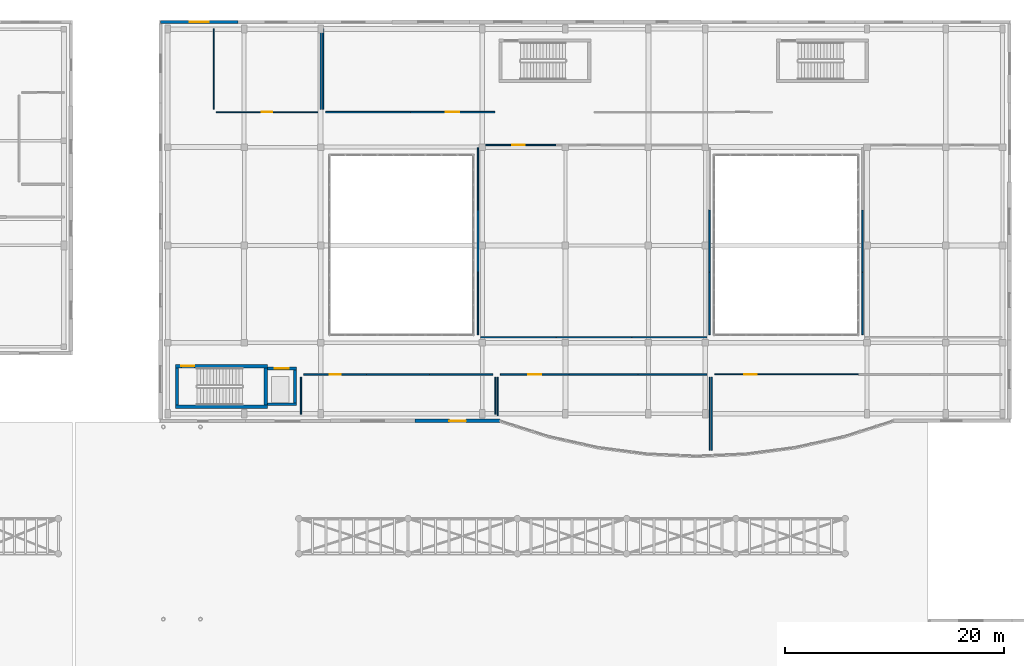
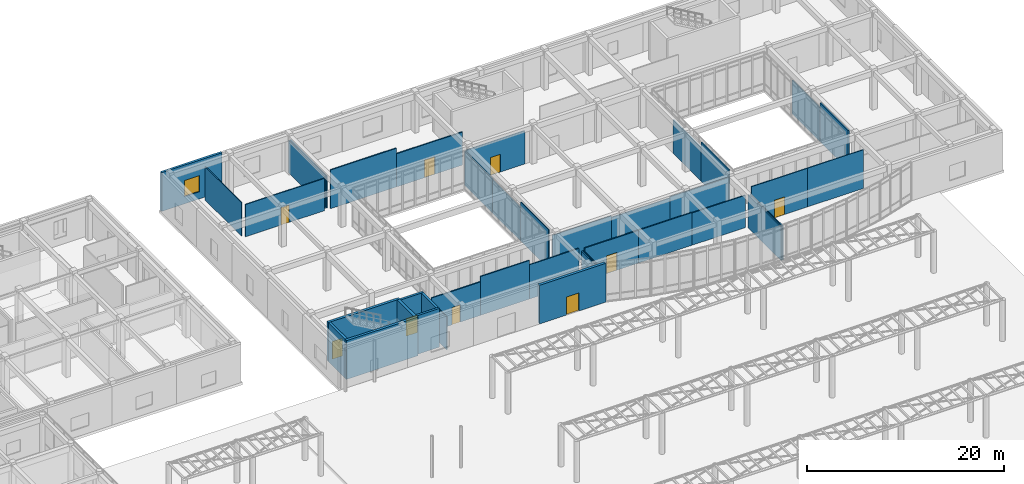
# One storey, part 104 of 121: 39 walls, 9 doors, 1 window, 10 openings.
"""IFC4 building model written with IfcOpenShell, lengths in metres."""

from ifc_helpers import new_model, si_unit, direction, frame, frame_2d, origin, place, context, subcontext, project, spatial, rectangle, extrude, material, layer, layer_set, type_object, element, fill, save


model = new_model("IFC4")

# Units and contexts
model_context = context("Model", 3, precision=1e-05, world=origin(), true_north=direction((0.0, 1.0)))
body_context = subcontext(model_context, "Body", "Model", "MODEL_VIEW")
ifc_project = project(units=[si_unit("LENGTHUNIT", "METRE"), si_unit("AREAUNIT", "SQUARE_METRE"), si_unit("VOLUMEUNIT", "CUBIC_METRE"), si_unit("PLANEANGLEUNIT", "RADIAN"), si_unit("MASSUNIT", "GRAM", prefix="KILO")], contexts=[model_context])

# Site, building, storey
site_placement = place(None, origin())
site = spatial("IfcSite", under=ifc_project, at=site_placement, CompositionType="ELEMENT")
building_placement = place(site_placement, origin())
building = spatial("IfcBuilding", under=site, at=building_placement, Name="Valcora Specialist Clinic", CompositionType="ELEMENT")
storey_placement = place(building_placement, origin())
storey = spatial("IfcBuildingStorey", under=building, at=storey_placement, Name="L00", CompositionType="ELEMENT", Elevation=0.0)

# Wall
ifc_material_1 = material(Name="Concrete C40/50", Category="concrete")
ifc_layer_1 = layer(ifc_material_1, 0.300048828125)
ifc_layer_set_1 = layer_set([ifc_layer_1], Name="Concrete C40/50")
wall_type_1 = type_object("IfcWallType", Name="TY-WL-CR300", PredefinedType="SHEAR", material=ifc_layer_set_1)
wall_1_placement = place(storey_placement, frame((62.699951171875, 75.449951171875, 0.0), z_axis=(0.0, 0.0, 1.0), x_axis=(1.0, 0.0, 0.0)))
element("IfcWall", 1, at=wall_1_placement, inside=storey, type_object=wall_type_1, Name="Core shear wall WL-CR-C-V4A-L00-S", PredefinedType="SHEAR", context=body_context, shape_type="SweptSolid", body=[
    extrude(rectangle(XDim=8.420166015625, YDim=0.300048828125, at=frame_2d((4.2099609375, 0.0))), origin(), (0.0, 0.0, 1.0), 4.81005859375),
])

# Wall, opening, door
wall_2_placement = place(storey_placement, frame((62.699951171875, 79.14990234375, 0.0), z_axis=(0.0, 0.0, 1.0), x_axis=(1.0, 0.0, 0.0)))
wall_2 = element("IfcWall", 2, at=wall_2_placement, inside=storey, type_object=wall_type_1, Name="Core shear wall WL-CR-C-V4A-L00-N", PredefinedType="SHEAR", context=body_context, shape_type="SweptSolid", body=[
    extrude(rectangle(XDim=8.420166015625, YDim=0.300048828125, at=frame_2d((4.2099609375, 0.0))), origin(), (0.0, 0.0, 1.0), 4.81005859375),
])
opening_1_placement = place(wall_2_placement, frame((0.550048828125, 0.0, 0.0)))
opening_1 = element("IfcOpeningElement", 3, at=opening_1_placement, cuts=wall_2, Name="Opening DR-FD-120", PredefinedType="OPENING", context=body_context, shape_type="SweptSolid", body=[
    extrude(rectangle(XDim=1.199951171875, YDim=2.199951171875, at=frame_2d((0.60009765625, 1.10009765625))), frame((0.0, 0.159912109375, 0.0), z_axis=(0.0, -1.0, 0.0), x_axis=(1.0, 0.0, 0.0)), (0.0, 0.0, 1.0), 0.320068359375),
])
ifc_material_2 = material(Name="Galvanized Hollow Metal Door Steel ASTM A653", Category="steel")
door_type_1 = type_object("IfcDoorType", Name="TY-DR-ST120", OperationType="NOTDEFINED", PredefinedType="DOOR", material=ifc_material_2)
door_1_placement = place(opening_1_placement, origin())
door_1 = element("IfcDoor", 4, at=door_1_placement, inside=storey, type_object=door_type_1, Name="Exit stair fire door C-V4A L00", OperationType="SINGLE_SWING_LEFT", OverallHeight=2.199951171875, OverallWidth=1.199951171875, PredefinedType="DOOR", context=body_context, shape_type="SweptSolid", body=[
    extrude(rectangle(XDim=1.199951171875, YDim=2.199951171875, at=frame_2d((0.60009765625, 1.10009765625))), frame((0.0, 0.02490234375, 0.0), z_axis=(0.0, -1.0, 0.0), x_axis=(1.0, 0.0, 0.0)), (0.0, 0.0, 1.0), 0.050048828125),
])
fill(opening_1, door_1)

# Walls
wall_3_placement = place(storey_placement, frame((62.85009765625, 75.60205078125, 0.0), z_axis=(0.0, 0.0, 1.0), x_axis=(0.0, 1.0, 0.0)))
element("IfcWall", 5, at=wall_3_placement, inside=storey, type_object=wall_type_1, Name="Core shear wall WL-CR-C-V4A-L00-W", PredefinedType="SHEAR", context=body_context, shape_type="SweptSolid", body=[
    extrude(rectangle(XDim=3.39599609375, YDim=0.300048828125, at=frame_2d((1.697998046875, 0.0))), origin(), (0.0, 0.0, 1.0), 4.81005859375),
])
ifc_layer_2 = layer(ifc_material_1, 0.320068359375)
ifc_layer_set_2 = layer_set([ifc_layer_2], Name="Concrete C40/50")
wall_type_2 = type_object("IfcWallType", Name="TY-WL-CR320", PredefinedType="SHEAR", material=ifc_layer_set_2)
wall_4_placement = place(storey_placement, frame((70.9599609375, 75.60205078125, 0.0), z_axis=(0.0, 0.0, 1.0), x_axis=(0.0, 1.0, 0.0)))
element("IfcWall", 6, at=wall_4_placement, inside=storey, type_object=wall_type_2, Name="Core shear wall WL-CR-C-V4A-L00-E", PredefinedType="SHEAR", context=body_context, shape_type="SweptSolid", body=[
    extrude(rectangle(XDim=3.39599609375, YDim=0.320068359375, at=frame_2d((1.697998046875, 0.0))), origin(), (0.0, 0.0, 1.0), 4.81005859375),
])

# Wall, opening, window
ifc_material_3 = material(Name="Extruded Jalisco Clay Brick Masonry", Category="masonry")
ifc_layer_3 = layer(ifc_material_3, 0.264892578125)
ifc_layer_set_3 = layer_set([ifc_layer_3], Name="Extruded Jalisco Clay Brick Masonry")
wall_type_3 = type_object("IfcWallType", Name="TY-WL-EW265", PredefinedType="SOLIDWALL", material=ifc_layer_set_3)
wall_5_placement = place(storey_placement, frame((61.35009765625, 110.64990234375, 0.0), z_axis=(0.0, 0.0, 1.0), x_axis=(1.0, 0.0, 0.0)))
wall_5 = element("IfcWall", 7, at=wall_5_placement, inside=storey, type_object=wall_type_3, Name="Exterior wall WL-EXT-L00-0128", PredefinedType="SOLIDWALL", context=body_context, shape_type="SweptSolid", body=[
    extrude(rectangle(XDim=7.0634765625, YDim=0.264892578125, at=frame_2d((3.53173828125, 0.0))), origin(), (0.0, 0.0, 1.0), 4.81005859375),
])
opening_2_placement = place(wall_5_placement, frame((2.656982421875, 0.0, 0.89990234375)))
opening_2 = element("IfcOpeningElement", 8, at=opening_2_placement, cuts=wall_5, Name="Opening WN-25", PredefinedType="OPENING", context=body_context, shape_type="SweptSolid", body=[
    extrude(rectangle(XDim=1.75, YDim=2.0, at=frame_2d((0.875, 1.0))), frame((0.0, 0.142333984375, 0.0), z_axis=(0.0, -1.0, 0.0), x_axis=(1.0, 0.0, 0.0)), (0.0, 0.0, 1.0), 0.284912109375),
])
ifc_material_4 = material(Name="Low-E Laminated Insulating Glass", Category="glass")
window_type = type_object("IfcWindowType", Name="TY-WN-25", PartitioningType="SINGLE_PANEL", PredefinedType="WINDOW", material=ifc_material_4)
window_placement = place(opening_2_placement, origin())
window = element("IfcWindow", 9, at=window_placement, inside=storey, type_object=window_type, Name="Facade window WN-L00-0109", OverallHeight=2.0, OverallWidth=1.75, PartitioningType="SINGLE_PANEL", PredefinedType="WINDOW", context=body_context, shape_type="SweptSolid", body=[
    extrude(rectangle(XDim=1.75, YDim=2.0, at=frame_2d((0.875, 1.0))), frame((0.0, 0.030029296875, 0.0), z_axis=(0.0, -1.0, 0.0), x_axis=(1.0, 0.0, 0.0)), (0.0, 0.0, 1.0), 0.06005859375),
])
fill(opening_2, window)

# Wall, opening, door
ifc_layer_4 = layer(ifc_material_3, 0.31005859375)
ifc_layer_set_4 = layer_set([ifc_layer_4], Name="Extruded Jalisco Clay Brick Masonry")
wall_type_4 = type_object("IfcWallType", Name="TY-WL-EW310", PredefinedType="SOLIDWALL", material=ifc_layer_set_4)
wall_6_placement = place(storey_placement, frame((92.42333984375, 74.14990234375, 0.0), z_axis=(0.0, 0.0, 1.0), x_axis=(-1.0, 0.0, 0.0)))
wall_6 = element("IfcWall", 10, at=wall_6_placement, inside=storey, type_object=wall_type_4, Name="Exterior wall WL-EXT-L00-0145", PredefinedType="SOLIDWALL", context=body_context, shape_type="SweptSolid", body=[
    extrude(rectangle(XDim=7.768310546875, YDim=0.31005859375, at=frame_2d((3.88427734375, 0.0))), origin(), (0.0, 0.0, 1.0), 4.81005859375),
])
opening_3_placement = place(wall_6_placement, frame((3.134033203125, 0.0, 0.0)))
opening_3 = element("IfcOpeningElement", 11, at=opening_3_placement, cuts=wall_6, Name="Opening DR-EX-150", PredefinedType="OPENING", context=body_context, shape_type="SweptSolid", body=[
    extrude(rectangle(XDim=1.5, YDim=2.25, at=frame_2d((0.75, 1.125))), frame((0.0, 0.1650390625, 0.0), z_axis=(0.0, -1.0, 0.0), x_axis=(1.0, 0.0, 0.0)), (0.0, 0.0, 1.0), 0.330078125),
])
ifc_material_5 = material(Name="Anodized Bronze Aluminium 6063-T6", Category="aluminium")
door_type_2 = type_object("IfcDoorType", Name="TY-DR-EX150", OperationType="NOTDEFINED", PredefinedType="DOOR", material=ifc_material_5)
door_2_placement = place(opening_3_placement, origin())
door_2 = element("IfcDoor", 12, at=door_2_placement, inside=storey, type_object=door_type_2, Name="Exterior door DR-EXT-L00-010", OperationType="SINGLE_SWING_RIGHT", OverallHeight=2.25, OverallWidth=1.5, PredefinedType="DOOR", context=body_context, shape_type="SweptSolid", body=[
    extrude(rectangle(XDim=1.5, YDim=2.25, at=frame_2d((0.75, 1.125))), frame((0.0, 0.02490234375, 0.0), z_axis=(0.0, -1.0, 0.0), x_axis=(1.0, 0.0, 0.0)), (0.0, 0.0, 1.0), 0.050048828125),
])
fill(opening_3, door_2)

# Walls
ifc_material_6 = material(Name="Gypsum Board Partition Assembly")
ifc_layer_5 = layer(ifc_material_6, 0.094970703125)
ifc_layer_set_5 = layer_set([ifc_layer_5], Name="Gypsum Board Partition Assembly")
wall_type_5 = type_object("IfcWallType", Name="TY-WL-PT095", PredefinedType="PARTITIONING", material=ifc_layer_set_5)
wall_7_placement = place(storey_placement, frame((74.199951171875, 74.75, 0.0), z_axis=(0.0, 0.0, 1.0), x_axis=(0.0, 1.0, 0.0)))
element("IfcWall", 13, at=wall_7_placement, inside=storey, type_object=wall_type_5, Name="Interior partition WL-INT-L00-0071", PredefinedType="PARTITIONING", context=body_context, shape_type="SweptSolid", body=[
    extrude(rectangle(XDim=3.39990234375, YDim=0.094970703125, at=frame_2d((1.699951171875, 0.0))), origin(), (0.0, 0.0, 1.0), 4.110107421875),
])
wall_8_placement = place(storey_placement, frame((92.199951171875, 74.610107421875, 0.0), z_axis=(0.0, 0.0, 1.0), x_axis=(0.0, 1.0, 0.0)))
element("IfcWall", 14, at=wall_8_placement, inside=storey, type_object=wall_type_5, Name="Interior partition WL-INT-L00-0077", PredefinedType="PARTITIONING", context=body_context, shape_type="SweptSolid", body=[
    extrude(rectangle(XDim=3.539794921875, YDim=0.094970703125, at=frame_2d((1.77001953125, 0.0))), origin(), (0.0, 0.0, 1.0), 4.010009765625),
])
wall_9_placement = place(storey_placement, frame((118.625, 78.39990234375, 0.0), z_axis=(0.0, 0.0, 1.0), x_axis=(1.0, 0.0, 0.0)))
element("IfcWall", 15, at=wall_9_placement, inside=storey, type_object=wall_type_5, Name="Interior partition WL-INT-L00-0083", PredefinedType="PARTITIONING", context=body_context, shape_type="SweptSolid", body=[
    extrude(rectangle(XDim=6.574951171875, YDim=0.094970703125, at=frame_2d((3.28759765625, 0.0))), origin(), (0.0, 0.0, 1.0), 4.81005859375),
])
wall_10_placement = place(storey_placement, frame((90.39990234375, 82.050048828125, 0.0), z_axis=(0.0, 0.0, 1.0), x_axis=(0.0, 1.0, 0.0)))
element("IfcWall", 16, at=wall_10_placement, inside=storey, type_object=wall_type_5, Name="Interior partition WL-INT-L00-0095", PredefinedType="PARTITIONING", context=body_context, shape_type="SweptSolid", body=[
    extrude(rectangle(XDim=5.699951171875, YDim=0.094970703125, at=frame_2d((2.85009765625, 0.0))), origin(), (0.0, 0.0, 1.0), 4.81005859375),
])
wall_11_placement = place(storey_placement, frame((66.199951171875, 102.64990234375, 0.0), z_axis=(0.0, 0.0, 1.0), x_axis=(0.0, 1.0, 0.0)))
element("IfcWall", 17, at=wall_11_placement, inside=storey, type_object=wall_type_5, Name="Interior partition WL-INT-L00-0107", PredefinedType="PARTITIONING", context=body_context, shape_type="SweptSolid", body=[
    extrude(rectangle(XDim=7.400146484375, YDim=0.094970703125, at=frame_2d((3.7001953125, 0.0))), origin(), (0.0, 0.0, 1.0), 4.159912109375),
])
ifc_layer_6 = layer(ifc_material_6, 0.10498046875)
ifc_layer_set_6 = layer_set([ifc_layer_6], Name="Gypsum Board Partition Assembly")
wall_type_6 = type_object("IfcWallType", Name="TY-WL-PT105", PredefinedType="PARTITIONING", material=ifc_layer_set_6)
wall_12_placement = place(storey_placement, frame((111.60009765625, 78.14990234375, 0.0), z_axis=(0.0, 0.0, 1.0), x_axis=(0.0, -1.0, 0.0)))
element("IfcWall", 18, at=wall_12_placement, inside=storey, type_object=wall_type_6, Name="Interior partition WL-INT-L00-0076", PredefinedType="PARTITIONING", context=body_context, shape_type="SweptSolid", body=[
    extrude(rectangle(XDim=6.702880859375, YDim=0.10498046875, at=frame_2d((3.3515625, 0.0))), origin(), (0.0, 0.0, 1.0), 4.159912109375),
])

# Wall, opening, door
wall_13_placement = place(storey_placement, frame((112.050048828125, 78.39990234375, 0.0), z_axis=(0.0, 0.0, 1.0), x_axis=(1.0, 0.0, 0.0)))
wall_13 = element("IfcWall", 19, at=wall_13_placement, inside=storey, type_object=wall_type_6, Name="Interior partition WL-INT-L00-0082", PredefinedType="PARTITIONING", context=body_context, shape_type="SweptSolid", body=[
    extrude(rectangle(XDim=6.574951171875, YDim=0.10498046875, at=frame_2d((3.28759765625, 0.0))), origin(), (0.0, 0.0, 1.0), 4.81005859375),
])
opening_4_placement = place(wall_13_placement, frame((2.697998046875, 0.0, 0.0)))
opening_4 = element("IfcOpeningElement", 20, at=opening_4_placement, cuts=wall_13, Name="Opening DR-CN-118", PredefinedType="OPENING", context=body_context, shape_type="SweptSolid", body=[
    extrude(rectangle(XDim=1.179931640625, YDim=2.199951171875, at=frame_2d((0.58984375, 1.10009765625))), frame((0.0, 0.0625, 0.0), z_axis=(0.0, -1.0, 0.0), x_axis=(1.0, 0.0, 0.0)), (0.0, 0.0, 1.0), 0.125),
])
ifc_material_7 = material(Name="Glulam Conifer Class 24F", Category="wood")
door_type_3 = type_object("IfcDoorType", Name="TY-DR-CN118", OperationType="NOTDEFINED", PredefinedType="DOOR", material=ifc_material_7)
door_3_placement = place(opening_4_placement, origin())
door_3 = element("IfcDoor", 21, at=door_3_placement, inside=storey, type_object=door_type_3, Name="Interior door DR-INT-L00-0023", OperationType="SINGLE_SWING_LEFT", OverallHeight=2.199951171875, OverallWidth=1.179931640625, PredefinedType="DOOR", context=body_context, shape_type="SweptSolid", body=[
    extrude(rectangle(XDim=1.179931640625, YDim=2.199951171875, at=frame_2d((0.58984375, 1.10009765625))), frame((0.0, 0.02490234375, 0.0), z_axis=(0.0, -1.0, 0.0), x_axis=(1.0, 0.0, 0.0)), (0.0, 0.0, 1.0), 0.050048828125),
])
fill(opening_4, door_3)

# Wall
wall_14_placement = place(storey_placement, frame((97.550048828125, 81.800048828125, 0.0), z_axis=(0.0, 0.0, 1.0), x_axis=(-1.0, 0.0, 0.0)))
element("IfcWall", 22, at=wall_14_placement, inside=storey, type_object=wall_type_6, Name="Interior partition WL-INT-L00-0094", PredefinedType="PARTITIONING", context=body_context, shape_type="SweptSolid", body=[
    extrude(rectangle(XDim=6.900146484375, YDim=0.10498046875, at=frame_2d((3.4501953125, 0.0))), origin(), (0.0, 0.0, 1.0), 4.2099609375),
])

# Wall, opening, door
wall_15_placement = place(storey_placement, frame((75.75, 102.39990234375, 0.0), z_axis=(0.0, 0.0, 1.0), x_axis=(-1.0, 0.0, 0.0)))
wall_15 = element("IfcWall", 23, at=wall_15_placement, inside=storey, type_object=wall_type_6, Name="Interior partition WL-INT-L00-0106", PredefinedType="PARTITIONING", context=body_context, shape_type="SweptSolid", body=[
    extrude(rectangle(XDim=9.300048828125, YDim=0.10498046875, at=frame_2d((4.64990234375, 0.0))), origin(), (0.0, 0.0, 1.0), 4.010009765625),
])
opening_5_placement = place(wall_15_placement, frame((4.175048828125, 0.0, 0.0)))
opening_5 = element("IfcOpeningElement", 24, at=opening_5_placement, cuts=wall_15, Name="Opening DR-WC-095", PredefinedType="OPENING", context=body_context, shape_type="SweptSolid", body=[
    extrude(rectangle(XDim=0.949951171875, YDim=2.14990234375, at=frame_2d((0.47509765625, 1.074951171875))), frame((0.0, 0.0625, 0.0), z_axis=(0.0, -1.0, 0.0), x_axis=(1.0, 0.0, 0.0)), (0.0, 0.0, 1.0), 0.125),
])
door_type_4 = type_object("IfcDoorType", Name="TY-DR-WC095", OperationType="NOTDEFINED", PredefinedType="DOOR", material=ifc_material_7)
door_4_placement = place(opening_5_placement, origin())
door_4 = element("IfcDoor", 25, at=door_4_placement, inside=storey, type_object=door_type_4, Name="Interior door DR-INT-L00-0028", OperationType="SINGLE_SWING_RIGHT", OverallHeight=2.14990234375, OverallWidth=0.949951171875, PredefinedType="DOOR", context=body_context, shape_type="SweptSolid", body=[
    extrude(rectangle(XDim=0.949951171875, YDim=2.14990234375, at=frame_2d((0.47509765625, 1.074951171875))), frame((0.0, 0.02490234375, 0.0), z_axis=(0.0, -1.0, 0.0), x_axis=(1.0, 0.0, 0.0)), (0.0, 0.0, 1.0), 0.050048828125),
])
fill(opening_5, door_4)

# Walls
ifc_layer_7 = layer(ifc_material_6, 0.114990234375)
ifc_layer_set_7 = layer_set([ifc_layer_7], Name="Gypsum Board Partition Assembly")
wall_type_7 = type_object("IfcWallType", Name="TY-WL-PT115", PredefinedType="PARTITIONING", material=ifc_layer_set_7)
wall_16_placement = place(storey_placement, frame((92.0, 78.14990234375, 0.0), z_axis=(0.0, 0.0, 1.0), x_axis=(0.0, -1.0, 0.0)))
element("IfcWall", 26, at=wall_16_placement, inside=storey, type_object=wall_type_7, Name="Interior partition WL-INT-L00-0075", PredefinedType="PARTITIONING", context=body_context, shape_type="SweptSolid", body=[
    extrude(rectangle(XDim=3.39990234375, YDim=0.114990234375, at=frame_2d((1.699951171875, 0.0))), origin(), (0.0, 0.0, 1.0), 4.010009765625),
])
wall_17_placement = place(storey_placement, frame((111.800048828125, 71.4560546875, 0.0), z_axis=(0.0, 0.0, 1.0), x_axis=(0.0, 1.0, 0.0)))
element("IfcWall", 27, at=wall_17_placement, inside=storey, type_object=wall_type_7, Name="Interior partition WL-INT-L00-0081", PredefinedType="PARTITIONING", context=body_context, shape_type="SweptSolid", body=[
    extrude(rectangle(XDim=6.69384765625, YDim=0.114990234375, at=frame_2d((3.346923828125, 0.0))), origin(), (0.0, 0.0, 1.0), 4.159912109375),
])
wall_18_placement = place(storey_placement, frame((104.449951171875, 81.800048828125, 0.0), z_axis=(0.0, 0.0, 1.0), x_axis=(-1.0, 0.0, 0.0)))
element("IfcWall", 28, at=wall_18_placement, inside=storey, type_object=wall_type_7, Name="Interior partition WL-INT-L00-0093", PredefinedType="PARTITIONING", context=body_context, shape_type="SweptSolid", body=[
    extrude(rectangle(XDim=6.89990234375, YDim=0.114990234375, at=frame_2d((3.449951171875, 0.0))), origin(), (0.0, 0.0, 1.0), 4.010009765625),
])
wall_19_placement = place(storey_placement, frame((76.0, 110.050048828125, 0.0), z_axis=(0.0, 0.0, 1.0), x_axis=(0.0, -1.0, 0.0)))
element("IfcWall", 29, at=wall_19_placement, inside=storey, type_object=wall_type_7, Name="Interior partition WL-INT-L00-0105", PredefinedType="PARTITIONING", context=body_context, shape_type="SweptSolid", body=[
    extrude(rectangle(XDim=7.400146484375, YDim=0.114990234375, at=frame_2d((3.7001953125, 0.0))), origin(), (0.0, 0.0, 1.0), 4.010009765625),
])
ifc_layer_8 = layer(ifc_material_6, 0.125)
ifc_layer_set_8 = layer_set([ifc_layer_8], Name="Gypsum Board Partition Assembly")
wall_type_8 = type_object("IfcWallType", Name="TY-WL-PT125", PredefinedType="PARTITIONING", material=ifc_layer_set_8)
wall_20_placement = place(storey_placement, frame((85.98291015625, 78.39990234375, 0.0), z_axis=(0.0, 0.0, 1.0), x_axis=(1.0, 0.0, 0.0)))
element("IfcWall", 30, at=wall_20_placement, inside=storey, type_object=wall_type_8, Name="Interior partition WL-INT-L00-0074", PredefinedType="PARTITIONING", context=body_context, shape_type="SweptSolid", body=[
    extrude(rectangle(XDim=5.76708984375, YDim=0.125, at=frame_2d((2.883544921875, 0.0))), origin(), (0.0, 0.0, 1.0), 4.260009765625),
])
wall_21_placement = place(storey_placement, frame((105.050048828125, 78.39990234375, 0.0), z_axis=(0.0, 0.0, 1.0), x_axis=(1.0, 0.0, 0.0)))
element("IfcWall", 31, at=wall_21_placement, inside=storey, type_object=wall_type_8, Name="Interior partition WL-INT-L00-0080", PredefinedType="PARTITIONING", context=body_context, shape_type="SweptSolid", body=[
    extrude(rectangle(XDim=6.300048828125, YDim=0.125, at=frame_2d((3.14990234375, 0.0))), origin(), (0.0, 0.0, 1.0), 4.010009765625),
])

# Wall, opening, door
wall_22_placement = place(storey_placement, frame((90.64990234375, 99.39990234375, 0.0), z_axis=(0.0, 0.0, 1.0), x_axis=(1.0, 0.0, 0.0)))
wall_22 = element("IfcWall", 32, at=wall_22_placement, inside=storey, type_object=wall_type_8, Name="Interior partition WL-INT-L00-0086", PredefinedType="PARTITIONING", context=body_context, shape_type="SweptSolid", body=[
    extrude(rectangle(XDim=6.900146484375, YDim=0.125, at=frame_2d((3.4501953125, 0.0))), origin(), (0.0, 0.0, 1.0), 4.110107421875),
])
opening_6_placement = place(wall_22_placement, frame((2.8798828125, 0.0, 0.0)))
opening_6 = element("IfcOpeningElement", 33, at=opening_6_placement, cuts=wall_22, Name="Opening DR-CN-114", PredefinedType="OPENING", context=body_context, shape_type="SweptSolid", body=[
    extrude(rectangle(XDim=1.139892578125, YDim=2.199951171875, at=frame_2d((0.56982421875, 1.10009765625))), frame((0.0, 0.072509765625, 0.0), z_axis=(0.0, -1.0, 0.0), x_axis=(1.0, 0.0, 0.0)), (0.0, 0.0, 1.0), 0.14501953125),
])
door_type_5 = type_object("IfcDoorType", Name="TY-DR-CN114", OperationType="NOTDEFINED", PredefinedType="DOOR", material=ifc_material_7)
door_5_placement = place(opening_6_placement, origin())
door_5 = element("IfcDoor", 34, at=door_5_placement, inside=storey, type_object=door_type_5, Name="Interior door DR-INT-L00-0024", OperationType="SINGLE_SWING_RIGHT", OverallHeight=2.199951171875, OverallWidth=1.139892578125, PredefinedType="DOOR", context=body_context, shape_type="SweptSolid", body=[
    extrude(rectangle(XDim=1.139892578125, YDim=2.199951171875, at=frame_2d((0.56982421875, 1.10009765625))), frame((0.0, 0.02490234375, 0.0), z_axis=(0.0, -1.0, 0.0), x_axis=(1.0, 0.0, 0.0)), (0.0, 0.0, 1.0), 0.050048828125),
])
fill(opening_6, door_5)

# Walls
wall_23_placement = place(storey_placement, frame((111.35009765625, 81.800048828125, 0.0), z_axis=(0.0, 0.0, 1.0), x_axis=(-1.0, 0.0, 0.0)))
element("IfcWall", 35, at=wall_23_placement, inside=storey, type_object=wall_type_8, Name="Interior partition WL-INT-L00-0092", PredefinedType="PARTITIONING", context=body_context, shape_type="SweptSolid", body=[
    extrude(rectangle(XDim=6.900146484375, YDim=0.125, at=frame_2d((3.4501953125, 0.0))), origin(), (0.0, 0.0, 1.0), 4.159912109375),
])
wall_24_placement = place(storey_placement, frame((76.199951171875, 102.64990234375, 0.0), z_axis=(0.0, 0.0, 1.0), x_axis=(0.0, 1.0, 0.0)))
element("IfcWall", 36, at=wall_24_placement, inside=storey, type_object=wall_type_8, Name="Interior partition WL-INT-L00-0110", PredefinedType="PARTITIONING", context=body_context, shape_type="SweptSolid", body=[
    extrude(rectangle(XDim=7.400146484375, YDim=0.125, at=frame_2d((3.7001953125, 0.0))), origin(), (0.0, 0.0, 1.0), 4.010009765625),
])
ifc_layer_9 = layer(ifc_material_6, 0.135009765625)
ifc_layer_set_9 = layer_set([ifc_layer_9], Name="Gypsum Board Partition Assembly")
wall_type_9 = type_object("IfcWallType", Name="TY-WL-PT135", PredefinedType="PARTITIONING", material=ifc_layer_set_9)
wall_25_placement = place(storey_placement, frame((80.217041015625, 78.39990234375, 0.0), z_axis=(0.0, 0.0, 1.0), x_axis=(1.0, 0.0, 0.0)))
element("IfcWall", 37, at=wall_25_placement, inside=storey, type_object=wall_type_9, Name="Interior partition WL-INT-L00-0073", PredefinedType="PARTITIONING", context=body_context, shape_type="SweptSolid", body=[
    extrude(rectangle(XDim=5.765869140625, YDim=0.135009765625, at=frame_2d((2.8828125, 0.0))), origin(), (0.0, 0.0, 1.0), 4.81005859375),
])
wall_26_placement = place(storey_placement, frame((98.75, 78.39990234375, 0.0), z_axis=(0.0, 0.0, 1.0), x_axis=(1.0, 0.0, 0.0)))
element("IfcWall", 38, at=wall_26_placement, inside=storey, type_object=wall_type_9, Name="Interior partition WL-INT-L00-0079", PredefinedType="PARTITIONING", context=body_context, shape_type="SweptSolid", body=[
    extrude(rectangle(XDim=6.300048828125, YDim=0.135009765625, at=frame_2d((3.14990234375, 0.0))), origin(), (0.0, 0.0, 1.0), 4.06005859375),
])
wall_27_placement = place(storey_placement, frame((111.60009765625, 87.75, 0.0), z_axis=(0.0, 0.0, 1.0), x_axis=(0.0, -1.0, 0.0)))
element("IfcWall", 39, at=wall_27_placement, inside=storey, type_object=wall_type_9, Name="Interior partition WL-INT-L00-0091", PredefinedType="PARTITIONING", context=body_context, shape_type="SweptSolid", body=[
    extrude(rectangle(XDim=5.699951171875, YDim=0.135009765625, at=frame_2d((2.85009765625, 0.0))), origin(), (0.0, 0.0, 1.0), 4.81005859375),
])
wall_28_placement = place(storey_placement, frame((90.39990234375, 93.449951171875, 0.0), z_axis=(0.0, 0.0, 1.0), x_axis=(0.0, 1.0, 0.0)))
element("IfcWall", 40, at=wall_28_placement, inside=storey, type_object=wall_type_9, Name="Interior partition WL-INT-L00-0097", PredefinedType="PARTITIONING", context=body_context, shape_type="SweptSolid", body=[
    extrude(rectangle(XDim=5.699951171875, YDim=0.135009765625, at=frame_2d((2.85009765625, 0.0))), origin(), (0.0, 0.0, 1.0), 4.2099609375),
])
wall_29_placement = place(storey_placement, frame((125.60009765625, 87.75, 0.0), z_axis=(0.0, 0.0, 1.0), x_axis=(0.0, 1.0, 0.0)))
element("IfcWall", 41, at=wall_29_placement, inside=storey, type_object=wall_type_9, Name="Interior partition WL-INT-L00-0103", PredefinedType="PARTITIONING", context=body_context, shape_type="SweptSolid", body=[
    extrude(rectangle(XDim=5.699951171875, YDim=0.135009765625, at=frame_2d((2.85009765625, 0.0))), origin(), (0.0, 0.0, 1.0), 4.159912109375),
])
wall_30_placement = place(storey_placement, frame((84.199951171875, 102.39990234375, 0.0), z_axis=(0.0, 0.0, 1.0), x_axis=(-1.0, 0.0, 0.0)))
element("IfcWall", 42, at=wall_30_placement, inside=storey, type_object=wall_type_9, Name="Interior partition WL-INT-L00-0109", PredefinedType="PARTITIONING", context=body_context, shape_type="SweptSolid", body=[
    extrude(rectangle(XDim=7.75, YDim=0.135009765625, at=frame_2d((3.875, 0.0))), origin(), (0.0, 0.0, 1.0), 4.81005859375),
])

# Wall, opening, door
ifc_layer_10 = layer(ifc_material_6, 0.14501953125)
ifc_layer_set_10 = layer_set([ifc_layer_10], Name="Gypsum Board Partition Assembly")
wall_type_10 = type_object("IfcWallType", Name="TY-WL-PT145", PredefinedType="PARTITIONING", material=ifc_layer_set_10)
wall_31_placement = place(storey_placement, frame((74.449951171875, 78.39990234375, 0.0), z_axis=(0.0, 0.0, 1.0), x_axis=(1.0, 0.0, 0.0)))
wall_31 = element("IfcWall", 43, at=wall_31_placement, inside=storey, type_object=wall_type_10, Name="Interior partition WL-INT-L00-0072", PredefinedType="PARTITIONING", context=body_context, shape_type="SweptSolid", body=[
    extrude(rectangle(XDim=5.76708984375, YDim=0.14501953125, at=frame_2d((2.883544921875, 0.0))), origin(), (0.0, 0.0, 1.0), 4.159912109375),
])
opening_7_placement = place(wall_31_placement, frame((2.39306640625, 0.0, 0.0)))
opening_7 = element("IfcOpeningElement", 44, at=opening_7_placement, cuts=wall_31, Name="Opening DR-CN-098", PredefinedType="OPENING", context=body_context, shape_type="SweptSolid", body=[
    extrude(rectangle(XDim=0.97998046875, YDim=2.14990234375, at=frame_2d((0.489990234375, 1.074951171875))), frame((0.0, 0.08251953125, 0.0), z_axis=(0.0, -1.0, 0.0), x_axis=(1.0, 0.0, 0.0)), (0.0, 0.0, 1.0), 0.1650390625),
])
door_type_6 = type_object("IfcDoorType", Name="TY-DR-CN098", OperationType="NOTDEFINED", PredefinedType="DOOR", material=ifc_material_7)
door_6_placement = place(opening_7_placement, origin())
door_6 = element("IfcDoor", 45, at=door_6_placement, inside=storey, type_object=door_type_6, Name="Interior door DR-INT-L00-0021", OperationType="SINGLE_SWING_LEFT", OverallHeight=2.14990234375, OverallWidth=0.97998046875, PredefinedType="DOOR", context=body_context, shape_type="SweptSolid", body=[
    extrude(rectangle(XDim=0.97998046875, YDim=2.14990234375, at=frame_2d((0.489990234375, 1.074951171875))), frame((0.0, 0.02490234375, 0.0), z_axis=(0.0, -1.0, 0.0), x_axis=(1.0, 0.0, 0.0)), (0.0, 0.0, 1.0), 0.050048828125),
])
fill(opening_7, door_6)

wall_32_placement = place(storey_placement, frame((92.449951171875, 78.39990234375, 0.0), z_axis=(0.0, 0.0, 1.0), x_axis=(1.0, 0.0, 0.0)))
wall_32 = element("IfcWall", 46, at=wall_32_placement, inside=storey, type_object=wall_type_10, Name="Interior partition WL-INT-L00-0078", PredefinedType="PARTITIONING", context=body_context, shape_type="SweptSolid", body=[
    extrude(rectangle(XDim=6.300048828125, YDim=0.14501953125, at=frame_2d((3.14990234375, 0.0))), origin(), (0.0, 0.0, 1.0), 4.06005859375),
])
opening_8_placement = place(wall_32_placement, frame((2.5400390625, 0.0, 0.0)))
opening_8 = element("IfcOpeningElement", 47, at=opening_8_placement, cuts=wall_32, Name="Opening DR-CN-122", PredefinedType="OPENING", context=body_context, shape_type="SweptSolid", body=[
    extrude(rectangle(XDim=1.219970703125, YDim=2.199951171875, at=frame_2d((0.60986328125, 1.10009765625))), frame((0.0, 0.08251953125, 0.0), z_axis=(0.0, -1.0, 0.0), x_axis=(1.0, 0.0, 0.0)), (0.0, 0.0, 1.0), 0.1650390625),
])
door_type_7 = type_object("IfcDoorType", Name="TY-DR-CN122", OperationType="NOTDEFINED", PredefinedType="DOOR", material=ifc_material_7)
door_7_placement = place(opening_8_placement, origin())
door_7 = element("IfcDoor", 48, at=door_7_placement, inside=storey, type_object=door_type_7, Name="Interior door DR-INT-L00-0022", OperationType="SINGLE_SWING_RIGHT", OverallHeight=2.199951171875, OverallWidth=1.219970703125, PredefinedType="DOOR", context=body_context, shape_type="SweptSolid", body=[
    extrude(rectangle(XDim=1.219970703125, YDim=2.199951171875, at=frame_2d((0.60986328125, 1.10009765625))), frame((0.0, 0.02490234375, 0.0), z_axis=(0.0, -1.0, 0.0), x_axis=(1.0, 0.0, 0.0)), (0.0, 0.0, 1.0), 0.050048828125),
])
fill(opening_8, door_7)

# Walls
wall_33_placement = place(storey_placement, frame((111.60009765625, 93.449951171875, 0.0), z_axis=(0.0, 0.0, 1.0), x_axis=(0.0, -1.0, 0.0)))
element("IfcWall", 49, at=wall_33_placement, inside=storey, type_object=wall_type_10, Name="Interior partition WL-INT-L00-0090", PredefinedType="PARTITIONING", context=body_context, shape_type="SweptSolid", body=[
    extrude(rectangle(XDim=5.699951171875, YDim=0.14501953125, at=frame_2d((2.85009765625, 0.0))), origin(), (0.0, 0.0, 1.0), 4.159912109375),
])
wall_34_placement = place(storey_placement, frame((90.39990234375, 87.75, 0.0), z_axis=(0.0, 0.0, 1.0), x_axis=(0.0, 1.0, 0.0)))
element("IfcWall", 50, at=wall_34_placement, inside=storey, type_object=wall_type_10, Name="Interior partition WL-INT-L00-0096", PredefinedType="PARTITIONING", context=body_context, shape_type="SweptSolid", body=[
    extrude(rectangle(XDim=5.699951171875, YDim=0.14501953125, at=frame_2d((2.85009765625, 0.0))), origin(), (0.0, 0.0, 1.0), 4.06005859375),
])
wall_35_placement = place(storey_placement, frame((125.60009765625, 82.050048828125, 0.0), z_axis=(0.0, 0.0, 1.0), x_axis=(0.0, 1.0, 0.0)))
element("IfcWall", 51, at=wall_35_placement, inside=storey, type_object=wall_type_10, Name="Interior partition WL-INT-L00-0102", PredefinedType="PARTITIONING", context=body_context, shape_type="SweptSolid", body=[
    extrude(rectangle(XDim=5.699951171875, YDim=0.14501953125, at=frame_2d((2.85009765625, 0.0))), origin(), (0.0, 0.0, 1.0), 4.81005859375),
])

# Wall, opening, door
wall_36_placement = place(storey_placement, frame((91.949951171875, 102.39990234375, 0.0), z_axis=(0.0, 0.0, 1.0), x_axis=(-1.0, 0.0, 0.0)))
wall_36 = element("IfcWall", 52, at=wall_36_placement, inside=storey, type_object=wall_type_10, Name="Interior partition WL-INT-L00-0108", PredefinedType="PARTITIONING", context=body_context, shape_type="SweptSolid", body=[
    extrude(rectangle(XDim=7.75, YDim=0.14501953125, at=frame_2d((3.875, 0.0))), origin(), (0.0, 0.0, 1.0), 4.110107421875),
])
opening_9_placement = place(wall_36_placement, frame((3.264892578125, 0.0, 0.0)))
opening_9 = element("IfcOpeningElement", 53, at=opening_9_placement, cuts=wall_36, Name="Opening DR-CN-122", PredefinedType="OPENING", context=body_context, shape_type="SweptSolid", body=[
    extrude(rectangle(XDim=1.219970703125, YDim=2.199951171875, at=frame_2d((0.60986328125, 1.10009765625))), frame((0.0, 0.08251953125, 0.0), z_axis=(0.0, -1.0, 0.0), x_axis=(1.0, 0.0, 0.0)), (0.0, 0.0, 1.0), 0.1650390625),
])
door_8_placement = place(opening_9_placement, origin())
door_8 = element("IfcDoor", 54, at=door_8_placement, inside=storey, type_object=door_type_7, Name="Interior door DR-INT-L00-0029", OperationType="SINGLE_SWING_LEFT", OverallHeight=2.199951171875, OverallWidth=1.219970703125, PredefinedType="DOOR", context=body_context, shape_type="SweptSolid", body=[
    extrude(rectangle(XDim=1.219970703125, YDim=2.199951171875, at=frame_2d((0.60986328125, 1.10009765625))), frame((0.0, 0.02490234375, 0.0), z_axis=(0.0, -1.0, 0.0), x_axis=(1.0, 0.0, 0.0)), (0.0, 0.0, 1.0), 0.050048828125),
])
fill(opening_9, door_8)

# Wall
ifc_layer_11 = layer(ifc_material_1, 0.260009765625)
ifc_layer_set_11 = layer_set([ifc_layer_11], Name="Concrete C40/50")
wall_type_11 = type_object("IfcWallType", Name="TY-WL-SH260", PredefinedType="SHEAR", material=ifc_layer_set_11)
wall_37_placement = place(storey_placement, frame((71.1220703125, 75.669921875, 0.0), z_axis=(0.0, 0.0, 1.0), x_axis=(1.0, 0.0, 0.0)))
element("IfcWall", 55, at=wall_37_placement, inside=storey, type_object=wall_type_11, Name="Lift shaft wall WL-LF-LF-04-L00-LS", PredefinedType="SHEAR", context=body_context, shape_type="SweptSolid", body=[
    extrude(rectangle(XDim=2.657958984375, YDim=0.260009765625, at=frame_2d((1.3291015625, 0.0))), origin(), (0.0, 0.0, 1.0), 4.81005859375),
])

# Wall, opening, door
wall_38_placement = place(storey_placement, frame((71.1220703125, 78.929931640625, 0.0), z_axis=(0.0, 0.0, 1.0), x_axis=(1.0, 0.0, 0.0)))
wall_38 = element("IfcWall", 56, at=wall_38_placement, inside=storey, type_object=wall_type_11, Name="Lift shaft wall WL-LF-LF-04-L00-LN", PredefinedType="SHEAR", context=body_context, shape_type="SweptSolid", body=[
    extrude(rectangle(XDim=2.657958984375, YDim=0.260009765625, at=frame_2d((1.3291015625, 0.0))), origin(), (0.0, 0.0, 1.0), 4.81005859375),
])
opening_10_placement = place(wall_38_placement, frame((0.678955078125, 0.0, 0.0)))
opening_10 = element("IfcOpeningElement", 57, at=opening_10_placement, cuts=wall_38, Name="Opening LD-130", PredefinedType="OPENING", context=body_context, shape_type="SweptSolid", body=[
    extrude(rectangle(XDim=1.300048828125, YDim=2.199951171875, at=frame_2d((0.64990234375, 1.10009765625))), frame((0.0, 0.139892578125, 0.0), z_axis=(0.0, -1.0, 0.0), x_axis=(1.0, 0.0, 0.0)), (0.0, 0.0, 1.0), 0.280029296875),
])
ifc_material_8 = material(Name="Stainless Steel AISI 316", Category="steel")
door_type_8 = type_object("IfcDoorType", Name="TY-LD-130", OperationType="NOTDEFINED", PredefinedType="DOOR", material=ifc_material_8)
door_9_placement = place(opening_10_placement, origin())
door_9 = element("IfcDoor", 58, at=door_9_placement, inside=storey, type_object=door_type_8, Name="Lift landing sliding door LF-04 L00", OperationType="SLIDING_TO_RIGHT", OverallHeight=2.199951171875, OverallWidth=1.300048828125, PredefinedType="DOOR", context=body_context, shape_type="SweptSolid", body=[
    extrude(rectangle(XDim=1.300048828125, YDim=2.199951171875, at=frame_2d((0.64990234375, 1.10009765625))), frame((0.0, 0.02490234375, 0.0), z_axis=(0.0, -1.0, 0.0), x_axis=(1.0, 0.0, 0.0)), (0.0, 0.0, 1.0), 0.050048828125),
])
fill(opening_10, door_9)

# Wall
wall_39_placement = place(storey_placement, frame((73.64990234375, 75.802001953125, 0.0), z_axis=(0.0, 0.0, 1.0), x_axis=(0.0, 1.0, 0.0)))
element("IfcWall", 59, at=wall_39_placement, inside=storey, type_object=wall_type_11, Name="Lift shaft wall WL-LF-LF-04-L00-LE", PredefinedType="SHEAR", context=body_context, shape_type="SweptSolid", body=[
    extrude(rectangle(XDim=2.99609375, YDim=0.260009765625, at=frame_2d((1.498046875, 0.0))), origin(), (0.0, 0.0, 1.0), 4.81005859375),
])

save(model, "model.ifc")
